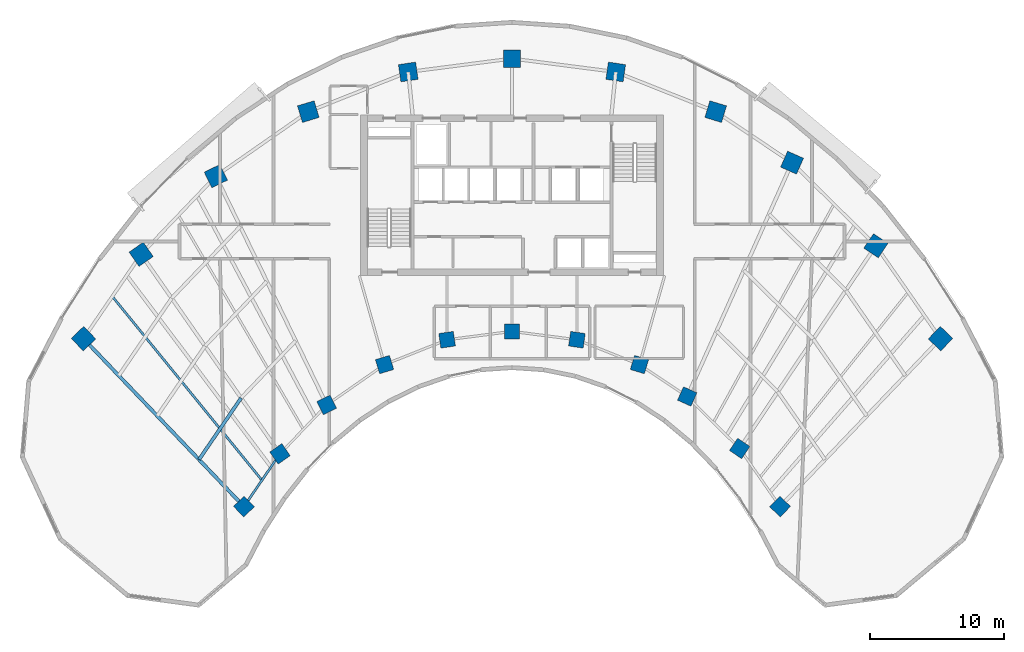
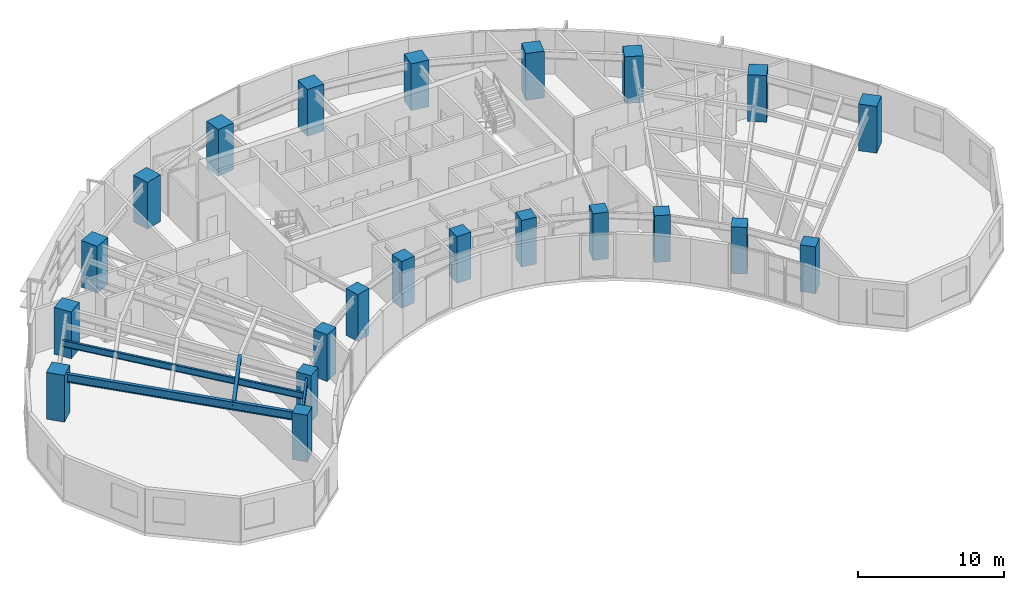
# One storey, part 1 of 14: 22 columns, 4 beams.
"""IFC4 building model written with IfcOpenShell, lengths in metres."""

from ifc_helpers import new_model, si_unit, direction, frame, origin, origin_2d, place, context, subcontext, project, spatial, rectangle, hollow_rectangle, i_section, extrude, source, transform, mapped, material, material_profile, profile_set, type_object, type_shapes, element, save


model = new_model("IFC4")

# Units and contexts
model_context = context("Model", 3, precision=1e-05, world=origin(), true_north=direction((0.0, 1.0)))
body_context = subcontext(model_context, "Body", "Model", "MODEL_VIEW")
ifc_project = project(units=[si_unit("LENGTHUNIT", "METRE"), si_unit("AREAUNIT", "SQUARE_METRE"), si_unit("VOLUMEUNIT", "CUBIC_METRE"), si_unit("PLANEANGLEUNIT", "RADIAN"), si_unit("MASSUNIT", "GRAM", prefix="KILO")], contexts=[model_context])

# Site, building, storey
site_placement = place(None, origin())
site = spatial("IfcSite", under=ifc_project, at=site_placement, CompositionType="ELEMENT")
building_placement = place(site_placement, origin())
building = spatial("IfcBuilding", under=site, at=building_placement, Name="Breltana Convention Tower", CompositionType="ELEMENT")
storey_placement = place(building_placement, frame((0.0, 0.0, 138.89990234375)))
storey = spatial("IfcBuildingStorey", under=building, at=storey_placement, Name="L33", CompositionType="ELEMENT", Elevation=138.89990234375)

# Columns
ifc_material_1 = material(Name="Concrete C60/75", Category="concrete")
ifc_material_profile_1 = material_profile(ifc_material_1, rectangle(XDim=1.10009765625, YDim=1.10009765625, at=origin_2d()), Name="RC-COL-1100X1100")
ifc_profile_set_1 = profile_set([ifc_material_profile_1], Name="Concrete C60/75")
column_type_1 = type_object("IfcColumnType", Name="COL-RC-1100", PredefinedType="COLUMN", material=ifc_profile_set_1)
shared_shape_1 = source(origin(), body_context, "Body", "SweptSolid", [
    extrude(rectangle(XDim=1.10009765625, YDim=1.10009765625, at=origin_2d()), origin(), (0.0, 0.0, 1.0), 3.900146484375),
])
for number, where, z_axis, x_axis, name in (
    (1, (27.984619140625, 42.95458984375, 0.0), (0.0, 0.0, 1.0), (-0.690756218984, 0.723087716626, 0.0), "L33 Tower Column R01-IN"),
    (2, (30.67724609375, 46.892333984375, 0.0), (0.0, 0.0, 1.0), (-0.571143442153, 0.820850271661, 0.0), "L33 Tower Column R02-IN"),
    (3, (34.166259765625, 50.544921875, 0.0), (0.0, 0.0, 1.0), (-0.436173672171, 0.899862504889, 0.0), "L33 Tower Column R03-IN"),
    (4, (38.485107421875, 53.5576171875, 0.0), (0.0, 0.0, 1.0), (-0.288697611798, 0.957420330337, 0.0), "L33 Tower Column R04-IN"),
    (5, (43.153564453125, 55.41064453125, 0.0), (0.0, 0.0, 1.0), (-0.143492621991, 0.98965138682, 0.0), "L33 Tower Column R05-IN"),
    (6, (48.0, 56.035888671875, 0.0), (0.0, 0.0, 1.0), (0.0, 1.0, 0.0), "L33 Tower Column R06-IN"),
    (7, (52.846435546875, 55.41064453125, 0.0), (0.0, 0.0, 1.0), (0.143492621991, 0.98965138682, 0.0), "L33 Tower Column R07-IN"),
    (8, (57.514892578125, 53.5576171875, 0.0), (0.0, 0.0, 1.0), (0.288697611798, 0.957420330337, 0.0), "L33 Tower Column R08-IN"),
    (9, (61.08203125, 51.174560546875, 0.0), (0.0, 0.0, 1.0), (0.409126902895, 0.912477494148, 0.0), "L33 Tower Column R09-IN"),
    (10, (64.995849609375, 47.293701171875, 0.0), (0.0, 0.0, 1.0), (0.55774510898, 0.830012285095, 0.0), "L33 Tower Column R10-IN"),
    (11, (68.015380859375, 42.95458984375, 0.0), (0.0, 0.0, 1.0), (0.690756218984, 0.723087716626, 0.0), "L33 Tower Column R11-IN"),
):
    element("IfcColumn", number, at=place(storey_placement, frame(where, z_axis=z_axis, x_axis=x_axis)), inside=storey, type_object=column_type_1, Name=name, PredefinedType="COLUMN", context=body_context, shape_type="MappedRepresentation", body=[
        mapped(shared_shape_1, transform((0.0, 0.0, 0.0), scale=1.0)),
    ])
ifc_material_profile_2 = material_profile(ifc_material_1, rectangle(XDim=1.300048828125, YDim=1.300048828125, at=origin_2d()), Name="RC-COL-1300X1300")
ifc_profile_set_2 = profile_set([ifc_material_profile_2], Name="Concrete C60/75")
column_type_2 = type_object("IfcColumnType", Name="COL-RC-1300", PredefinedType="COLUMN", material=ifc_profile_set_2)
shared_shape_2 = source(origin(), body_context, "Body", "SweptSolid", [
    extrude(rectangle(XDim=1.300048828125, YDim=1.300048828125, at=origin_2d()), origin(), (0.0, 0.0, 1.0), 3.900146484375),
])
for number, where, z_axis, x_axis, name in (
    (12, (16.0068359375, 55.494384765625, 0.0), (0.0, 0.0, 1.0), (-0.690756218984, 0.723087716626, 0.0), "L33 Tower Column R01-OUT"),
    (13, (20.310791015625, 61.78857421875, 0.0), (0.0, 0.0, 1.0), (-0.571143442153, 0.820850271661, 0.0), "L33 Tower Column R02-OUT"),
    (14, (25.8876953125, 67.626953125, 0.0), (0.0, 0.0, 1.0), (-0.436173672171, 0.899862504889, 0.0), "L33 Tower Column R03-OUT"),
    (15, (32.791015625, 72.4423828125, 0.0), (0.0, 0.0, 1.0), (-0.288697611798, 0.957420330337, 0.0), "L33 Tower Column R04-OUT"),
    (16, (40.253173828125, 75.404296875, 0.0), (0.0, 0.0, 1.0), (-0.143492621991, 0.98965138682, 0.0), "L33 Tower Column R05-OUT"),
    (17, (48.0, 76.404052734375, 0.0), (0.0, 0.0, 1.0), (0.0, 1.0, 0.0), "L33 Tower Column R06-OUT"),
    (18, (55.746826171875, 75.404296875, 0.0), (0.0, 0.0, 1.0), (0.143492621991, 0.98965138682, 0.0), "L33 Tower Column R07-OUT"),
    (19, (63.208984375, 72.4423828125, 0.0), (0.0, 0.0, 1.0), (0.288697611798, 0.957420330337, 0.0), "L33 Tower Column R08-OUT"),
    (20, (68.910400390625, 68.63330078125, 0.0), (0.0, 0.0, 1.0), (0.409126902895, 0.912477494148, 0.0), "L33 Tower Column R09-OUT"),
    (21, (75.166748046875, 62.43017578125, 0.0), (0.0, 0.0, 1.0), (0.55774510898, 0.830012285095, 0.0), "L33 Tower Column R10-OUT"),
    (22, (79.9931640625, 55.494384765625, 0.0), (0.0, 0.0, 1.0), (0.690756218984, 0.723087716626, 0.0), "L33 Tower Column R11-OUT"),
):
    element("IfcColumn", number, at=place(storey_placement, frame(where, z_axis=z_axis, x_axis=x_axis)), inside=storey, type_object=column_type_2, Name=name, PredefinedType="COLUMN", context=body_context, shape_type="MappedRepresentation", body=[
        mapped(shared_shape_2, transform((0.0, 0.0, 0.0), scale=1.0)),
    ])

# Beams
ifc_material_2 = material(Name="Steel ASTM A992 Grade 50", Category="steel")
ifc_material_profile_3 = material_profile(ifc_material_2, i_section(OverallWidth=0.25390625, OverallDepth=0.68798828125, WebThickness=0.01318359375, FlangeThickness=0.02099609375, at=origin_2d()), Name="W27X102")
ifc_profile_set_3 = profile_set([ifc_material_profile_3], Name="Steel ASTM A992 Grade 50")
beam_type_1 = type_object("IfcBeamType", Name="BM-RG-W27X102", PredefinedType="USERDEFINED", material=ifc_profile_set_3)
shared_shape_3 = source(origin(), body_context, "Body", "SweptSolid", [
    extrude(i_section(OverallWidth=0.25390625, OverallDepth=0.68798828125, WebThickness=0.01318359375, FlangeThickness=0.02099609375, at=origin_2d()), origin(), (0.0, 0.0, 1.0), 17.341064453125),
])
type_shapes(beam_type_1, [shared_shape_3])
beam_1_placement = place(storey_placement, frame((27.984619140625, 42.95458984375, 3.30615234375), z_axis=(-0.690716462293, 0.723125693581, 0.0), x_axis=(-0.723125693581, -0.690716462293, 0.0)))
element("IfcBeam", 23, at=beam_1_placement, inside=storey, type_object=beam_type_1, Name="L33 Radial Floor Girder R01", ObjectType="GIRDER", PredefinedType="USERDEFINED", context=body_context, shape_type="MappedRepresentation", body=[
    mapped(shared_shape_3, transform((0.0, 0.0, 0.0), scale=1.0)),
])
ifc_material_profile_4 = material_profile(ifc_material_2, i_section(OverallWidth=0.166015625, OverallDepth=0.534912109375, WebThickness=0.01025390625, FlangeThickness=0.0166015625, at=origin_2d()), Name="W21X57")
ifc_profile_set_4 = profile_set([ifc_material_profile_4], Name="Steel ASTM A992 Grade 50")
beam_type_2 = type_object("IfcBeamType", Name="BM-BM-W21X57", PredefinedType="BEAM", material=ifc_profile_set_4)
shared_shape_4 = source(origin(), body_context, "Body", "SweptSolid", [
    extrude(i_section(OverallWidth=0.166015625, OverallDepth=0.534912109375, WebThickness=0.01025390625, FlangeThickness=0.0166015625, at=origin_2d()), origin(), (0.0, 0.0, 1.0), 4.770263671875),
])
beam_2_placement = place(storey_placement, frame((27.984619140625, 42.95458984375, 3.382568359375), z_axis=(0.564452719055, 0.82546540082, 0.0), x_axis=(-0.82546540082, 0.564452719055, 0.0)))
element("IfcBeam", 24, at=beam_2_placement, inside=storey, type_object=beam_type_2, Name="L33 Inner Ring Beam 01", PredefinedType="BEAM", context=body_context, shape_type="MappedRepresentation", body=[
    mapped(shared_shape_4, transform((0.0, 0.0, 0.0), scale=1.0)),
])
ifc_material_profile_5 = material_profile(ifc_material_2, hollow_rectangle(XDim=0.25, YDim=0.35009765625, WallThickness=0.011962890625, at=origin_2d()), Name="RHS350X250X12")
ifc_profile_set_5 = profile_set([ifc_material_profile_5], Name="Steel ASTM A992 Grade 50")
beam_type_3 = type_object("IfcBeamType", Name="BM-JSG-12", PredefinedType="JOIST", material=ifc_profile_set_5)
shared_shape_5 = source(origin(), body_context, "Body", "SweptSolid", [
    extrude(hollow_rectangle(XDim=0.25, YDim=0.35009765625, WallThickness=0.011962890625, at=origin_2d()), origin(), (0.0, 0.0, 1.0), 5.569580078125),
])
beam_3_placement = place(storey_placement, frame((24.630615234375, 46.4658203125, 3.47509765625), z_axis=(0.564493760458, 0.825437335237, 0.0), x_axis=(-0.825437335237, 0.564493760458, 0.0)))
element("IfcBeam", 25, at=beam_3_placement, inside=storey, type_object=beam_type_3, Name="L33 Composite Floor Joist 01.1", PredefinedType="JOIST", context=body_context, shape_type="MappedRepresentation", body=[
    mapped(shared_shape_5, transform((0.0, 0.0, 0.0), scale=1.0)),
])
ifc_material_profile_6 = material_profile(ifc_material_2, i_section(OverallWidth=0.166015625, OverallDepth=0.534912109375, WebThickness=0.01025390625, FlangeThickness=0.0166015625, at=origin_2d()), Name="W21X57")
ifc_profile_set_6 = profile_set([ifc_material_profile_6], Name="Steel ASTM A992 Grade 50")
beam_type_4 = type_object("IfcBeamType", Name="BM-JSG-05", PredefinedType="JOIST", material=ifc_profile_set_6)
shared_shape_6 = source(origin(), body_context, "Body", "SweptSolid", [
    extrude(i_section(OverallWidth=0.166015625, OverallDepth=0.534912109375, WebThickness=0.01025390625, FlangeThickness=0.0166015625, at=origin_2d()), origin(), (0.0, 0.0, 1.0), 17.691650390625),
])
beam_4_placement = place(storey_placement, frame((29.330810546875, 44.923583984375, 3.382568359375), z_axis=(-0.631476958478, 0.775394642044, 0.0), x_axis=(-0.775394642044, -0.631476958478, 0.0)))
element("IfcBeam", 26, at=beam_4_placement, inside=storey, type_object=beam_type_4, Name="L33 Mid-Bay Radial Trimmer 01", PredefinedType="JOIST", context=body_context, shape_type="MappedRepresentation", body=[
    mapped(shared_shape_6, transform((0.0, 0.0, 0.0), scale=1.0)),
])

save(model, "model.ifc")
